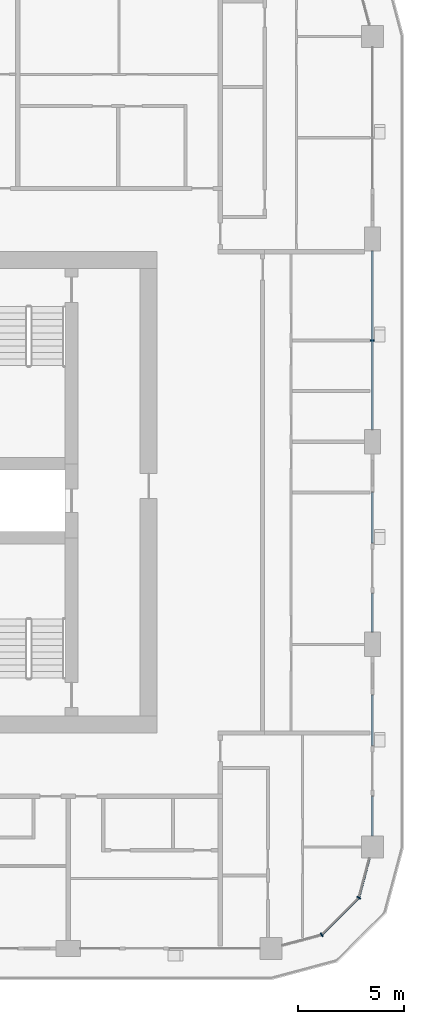
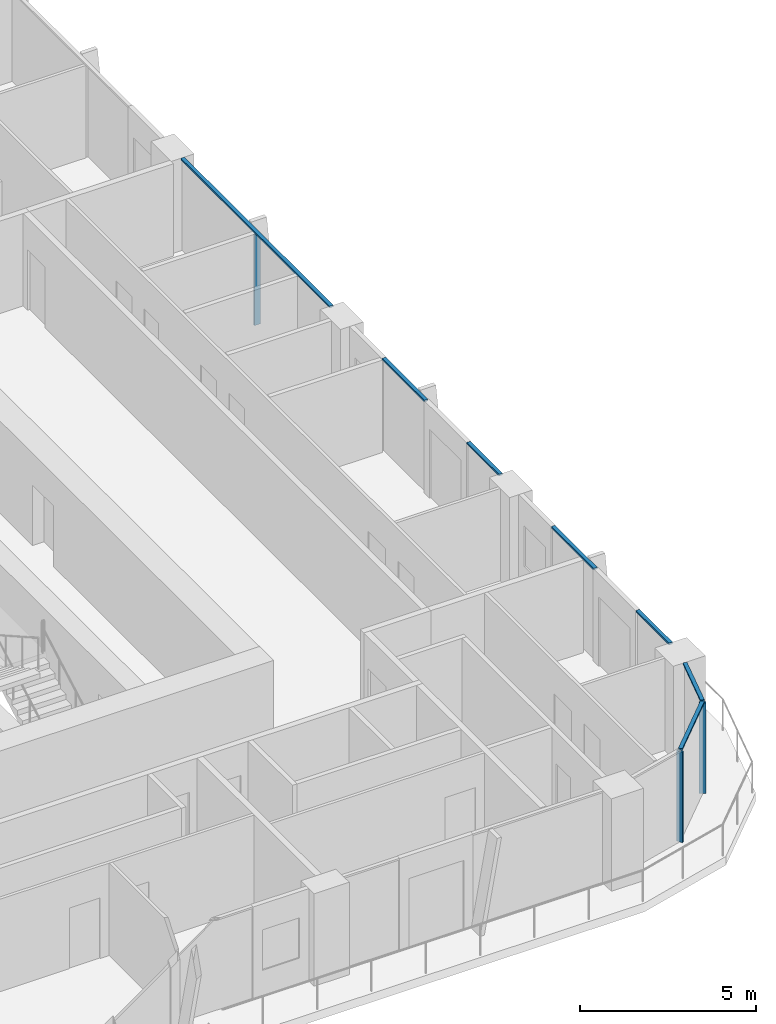
# One storey, part 4 of 22: 10 members, 4 elements without a shape of their own.
"""IFC4 building model written with IfcOpenShell, lengths in metres."""

from ifc_helpers import new_model, si_unit, direction, frame, origin, origin_2d, place, context, subcontext, project, spatial, rectangle, extrude, material, layer, layer_set, material_profile, profile_set, type_object, element, aggregate, save


model = new_model("IFC4")

# Units and contexts
model_context = context("Model", 3, precision=1e-05, world=origin(), true_north=direction((0.0, 1.0)))
body_context = subcontext(model_context, "Body", "Model", "MODEL_VIEW")
ifc_project = project(units=[si_unit("LENGTHUNIT", "METRE"), si_unit("AREAUNIT", "SQUARE_METRE"), si_unit("VOLUMEUNIT", "CUBIC_METRE"), si_unit("PLANEANGLEUNIT", "RADIAN"), si_unit("MASSUNIT", "GRAM", prefix="KILO")], contexts=[model_context])

# Site, building, storey
site_placement = place(None, origin())
site = spatial("IfcSite", under=ifc_project, at=site_placement, CompositionType="ELEMENT")
building_placement = place(site_placement, origin())
building = spatial("IfcBuilding", under=site, at=building_placement, Name="Madar Terraces", CompositionType="ELEMENT")
storey_placement = place(building_placement, frame((0.0, 0.0, 122.60009765625)))
storey = spatial("IfcBuildingStorey", under=building, at=storey_placement, Name="L31", CompositionType="ELEMENT", Elevation=122.60009765625)

# Curtain wall, member
ifc_material_1 = material(Name="Glass, ceramic frit dark grey, with black aluminium frame", Category="aluminium")
ifc_layer = layer(ifc_material_1, 0.199951171875)
ifc_layer_set = layer_set([ifc_layer], Name="Facade curtain wall, fritted glass")
curtain_wall_type = type_object("IfcCurtainWallType", Name="Facade curtain wall, fritted glass", PredefinedType="NOTDEFINED", material=ifc_layer_set)
curtain_wall_1_placement = place(storey_placement, origin())
curtain_wall_1 = element("IfcCurtainWall", 1, at=curtain_wall_1_placement, inside=storey, type_object=curtain_wall_type, Name="Outer skin curtain wall east bay 3", PredefinedType="NOTDEFINED")
ifc_material_2 = material(Name="Aluminium, black anodised", Category="aluminium")
ifc_material_profile_1 = material_profile(ifc_material_2, rectangle(XDim=0.199951171875, YDim=0.06005859375, at=origin_2d()), Name="Facade mullion 60x200")
ifc_profile_set_1 = profile_set([ifc_material_profile_1], Name="Aluminium, black anodised")
member_type_1 = type_object("IfcMemberType", Name="Facade mullion 60x200", PredefinedType="MULLION", material=ifc_profile_set_1)
member_1_placement = place(storey_placement, frame((57.60009765625, 33.60009765625, 0.0), z_axis=(0.0, 0.0, 1.0), x_axis=(-1.0, 0.0, 0.0)))
member_1 = element("IfcMember", 2, at=member_1_placement, type_object=member_type_1, Name="Mullion 1", PredefinedType="MULLION", context=body_context, shape_type="SweptSolid", body=[
    extrude(rectangle(XDim=0.199951171875, YDim=0.06005859375, at=origin_2d()), origin(), (0.0, 0.0, 1.0), 3.139892578125),
])

# Curtain wall, members
curtain_wall_2_placement = place(storey_placement, origin())
curtain_wall_2 = element("IfcCurtainWall", 3, at=curtain_wall_2_placement, inside=storey, type_object=curtain_wall_type, Name="Outer skin curtain wall south-east corner", PredefinedType="NOTDEFINED")
member_2_placement = place(storey_placement, frame((55.199951171875, 5.443115234375, 0.0), z_axis=(0.0, 0.0, 1.0), x_axis=(-0.499999989586, 0.866025409797, 0.0)))
member_2 = element("IfcMember", 4, at=member_2_placement, type_object=member_type_1, Name="Mullion 1", PredefinedType="MULLION", context=body_context, shape_type="SweptSolid", body=[
    extrude(rectangle(XDim=0.199951171875, YDim=0.06005859375, at=origin_2d()), origin(), (0.0, 0.0, 1.0), 3.139892578125),
])
member_3_placement = place(storey_placement, frame((56.95703125, 7.199951171875, 0.0), z_axis=(0.0, 0.0, 1.0), x_axis=(-0.866025409797, 0.499999989586, 0.0)))
member_3 = element("IfcMember", 5, at=member_3_placement, type_object=member_type_1, Name="Mullion 2", PredefinedType="MULLION", context=body_context, shape_type="SweptSolid", body=[
    extrude(rectangle(XDim=0.199951171875, YDim=0.06005859375, at=origin_2d()), origin(), (0.0, 0.0, 1.0), 3.139892578125),
])

curtain_wall_3_placement = place(storey_placement, origin())
curtain_wall_3 = element("IfcCurtainWall", 6, at=curtain_wall_3_placement, inside=storey, type_object=curtain_wall_type, Name="Outer skin curtain wall east bay 1", PredefinedType="NOTDEFINED")
ifc_material_3 = material(Name="Aluminium, black anodised", Category="aluminium")
ifc_material_profile_2 = material_profile(ifc_material_3, rectangle(XDim=0.1201171875, YDim=0.06005859375, at=origin_2d()), Name="Facade transom 60x120")
ifc_profile_set_2 = profile_set([ifc_material_profile_2], Name="Aluminium, black anodised")
member_type_2 = type_object("IfcMemberType", Name="Facade transom 60x120", PredefinedType="USERDEFINED", material=ifc_profile_set_2)
member_4_placement = place(storey_placement, frame((57.60009765625, 10.125, 3.169921875), z_axis=(0.0, 1.0, 0.0), x_axis=(-1.0, 0.0, 0.0)))
member_4 = element("IfcMember", 7, at=member_4_placement, type_object=member_type_2, Name="Transom 1", ObjectType="TRANSOM", PredefinedType="USERDEFINED", context=body_context, shape_type="SweptSolid", body=[
    extrude(rectangle(XDim=0.1201171875, YDim=0.06005859375, at=origin_2d()), origin(), (0.0, 0.0, 1.0), 1.875),
])
member_5_placement = place(storey_placement, frame((57.60009765625, 14.39990234375, 3.169921875), z_axis=(0.0, 1.0, 0.0), x_axis=(-1.0, 0.0, 0.0)))
member_5 = element("IfcMember", 8, at=member_5_placement, type_object=member_type_2, Name="Transom 2", ObjectType="TRANSOM", PredefinedType="USERDEFINED", context=body_context, shape_type="SweptSolid", body=[
    extrude(rectangle(XDim=0.1201171875, YDim=0.06005859375, at=origin_2d()), origin(), (0.0, 0.0, 1.0), 2.400146484375),
])
aggregate(curtain_wall_3, [member_4, member_5])

curtain_wall_4_placement = place(storey_placement, origin())
curtain_wall_4 = element("IfcCurtainWall", 9, at=curtain_wall_4_placement, inside=storey, type_object=curtain_wall_type, Name="Outer skin curtain wall east bay 2", PredefinedType="NOTDEFINED")
member_6_placement = place(storey_placement, frame((57.60009765625, 19.77490234375, 3.169921875), z_axis=(0.0, 1.0, 0.0), x_axis=(-1.0, 0.0, 0.0)))
member_6 = element("IfcMember", 10, at=member_6_placement, type_object=member_type_2, Name="Transom 1", ObjectType="TRANSOM", PredefinedType="USERDEFINED", context=body_context, shape_type="SweptSolid", body=[
    extrude(rectangle(XDim=0.1201171875, YDim=0.06005859375, at=origin_2d()), origin(), (0.0, 0.0, 1.0), 1.8251953125),
])
member_7_placement = place(storey_placement, frame((57.60009765625, 24.0, 3.169921875), z_axis=(0.0, 1.0, 0.0), x_axis=(-1.0, 0.0, 0.0)))
member_7 = element("IfcMember", 11, at=member_7_placement, type_object=member_type_2, Name="Transom 2", ObjectType="TRANSOM", PredefinedType="USERDEFINED", context=body_context, shape_type="SweptSolid", body=[
    extrude(rectangle(XDim=0.1201171875, YDim=0.06005859375, at=origin_2d()), origin(), (0.0, 0.0, 1.0), 2.39990234375),
])
aggregate(curtain_wall_4, [member_6, member_7])

# Member
member_8_placement = place(storey_placement, frame((57.60009765625, 29.375, 3.169921875), z_axis=(0.0, 1.0, 0.0), x_axis=(-1.0, 0.0, 0.0)))
member_8 = element("IfcMember", 12, at=member_8_placement, type_object=member_type_2, Name="Transom 1", ObjectType="TRANSOM", PredefinedType="USERDEFINED", context=body_context, shape_type="SweptSolid", body=[
    extrude(rectangle(XDim=0.1201171875, YDim=0.06005859375, at=origin_2d()), origin(), (0.0, 0.0, 1.0), 8.449951171875),
])

aggregate(curtain_wall_1, [member_1, member_8])

member_9_placement = place(storey_placement, frame((55.22119140625, 5.46435546875, 3.169921875), z_axis=(0.707157125196, 0.707056433593, 0.0), x_axis=(-0.707056433593, 0.707157125196, 0.0)))
member_9 = element("IfcMember", 13, at=member_9_placement, type_object=member_type_2, Name="Transom 2", ObjectType="TRANSOM", PredefinedType="USERDEFINED", context=body_context, shape_type="SweptSolid", body=[
    extrude(rectangle(XDim=0.1201171875, YDim=0.06005859375, at=origin_2d()), origin(), (0.0, 0.0, 1.0), 2.424560546875),
])

member_10_placement = place(storey_placement, frame((56.964599609375, 7.22900390625, 3.169921875), z_axis=(0.258823354654, 0.965924671538, 0.0), x_axis=(-0.965924671538, 0.258823354654, 0.0)))
member_10 = element("IfcMember", 14, at=member_10_placement, type_object=member_type_2, Name="Transom 3", ObjectType="TRANSOM", PredefinedType="USERDEFINED", context=body_context, shape_type="SweptSolid", body=[
    extrude(rectangle(XDim=0.1201171875, YDim=0.06005859375, at=origin_2d()), origin(), (0.0, 0.0, 1.0), 1.9111328125),
])

aggregate(curtain_wall_2, [member_2, member_3, member_9, member_10])

save(model, "model.ifc")
